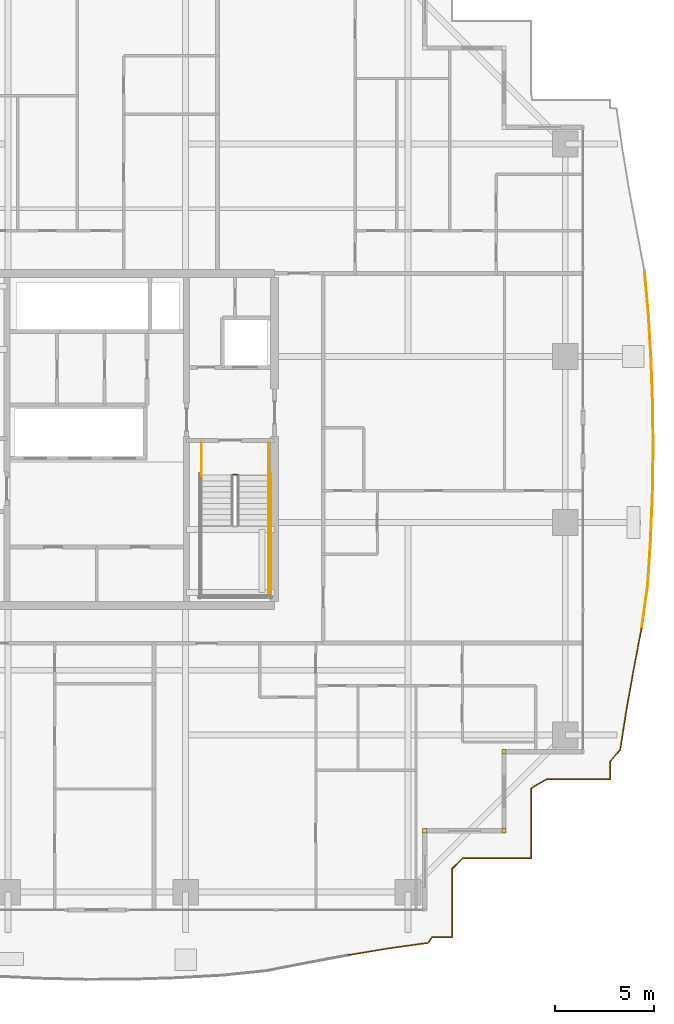
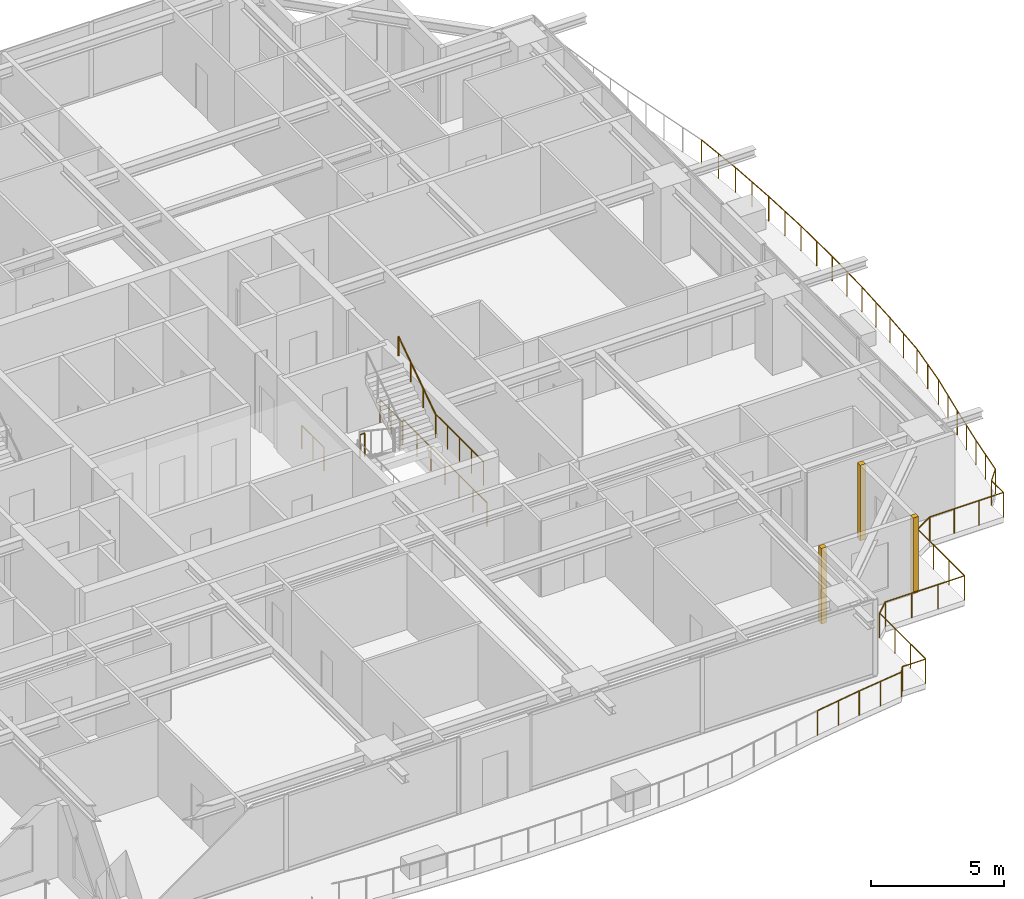
# One storey, part 37 of 38: 9 railings, 3 coverings.
"""IFC4 building model written with IfcOpenShell, lengths in metres."""

from ifc_helpers import new_model, si_unit, direction, frame, origin, origin_2d, place, context, subcontext, project, spatial, rectangle, circle, extrude, source, transform, mapped, material, layer, layer_set, type_object, element, save


model = new_model("IFC4")

# Units and contexts
model_context = context("Model", 3, precision=1e-05, world=origin(), true_north=direction((0.0, 1.0)))
body_context = subcontext(model_context, "Body", "Model", "MODEL_VIEW")
ifc_project = project(units=[si_unit("LENGTHUNIT", "METRE"), si_unit("AREAUNIT", "SQUARE_METRE"), si_unit("VOLUMEUNIT", "CUBIC_METRE"), si_unit("PLANEANGLEUNIT", "RADIAN"), si_unit("MASSUNIT", "GRAM", prefix="KILO")], contexts=[model_context])

# Site, building, storey
site_placement = place(None, origin())
site = spatial("IfcSite", under=ifc_project, at=site_placement, CompositionType="ELEMENT")
building_placement = place(site_placement, origin())
building = spatial("IfcBuilding", under=site, at=building_placement, Name="Serunith Strait Residences", CompositionType="ELEMENT")
storey_placement = place(building_placement, frame((0.0, 0.0, 176.39990234375)))
storey = spatial("IfcBuildingStorey", under=building, at=storey_placement, Name="L44", CompositionType="ELEMENT", Elevation=176.39990234375)

# Railings
ifc_material_1 = material(Name="Stainless Steel & Laminated Glass Balustrade", Category="steel")
railing_type_1 = type_object("IfcRailingType", Name="RLG-BALC-1150", PredefinedType="BALUSTRADE", material=ifc_material_1)
railing_1_placement = place(storey_placement, frame((60.108642578125, 33.760498046875, -0.0498046875)))
element("IfcRailing", 1, at=railing_1_placement, inside=storey, type_object=railing_type_1, Name="L44 Swirling Balcony Perimeter Balustrade 4", PredefinedType="BALUSTRADE", context=body_context, shape_type="SweptSolid", body=[
    extrude(circle(Radius=0.02392578125, at=origin_2d()), frame((0.000244140625, -0.001953125, 1.1259765625), z_axis=(0.089787224998, -0.995960970233, 0.0), x_axis=(0.995960970233, 0.089787224998, 0.0)), (0.0, 0.0, 1.0), 2.231201171875),
    extrude(circle(Radius=0.02392578125, at=origin_2d()), frame((0.20068359375, -2.22802734375, 1.1259765625), z_axis=(0.058659043198, -0.998278075814, 0.0), x_axis=(0.998278075814, 0.058659043198, 0.0)), (0.0, 0.0, 1.0), 2.2685546875),
    extrude(circle(Radius=0.02392578125, at=origin_2d()), frame((0.333984375, -4.49658203125, 1.1259765625), z_axis=(0.03584708947, -0.999357286548, 0.0), x_axis=(0.999357286548, 0.03584708947, 0.0)), (0.0, 0.0, 1.0), 2.291259765625),
    extrude(circle(Radius=0.02392578125, at=origin_2d()), frame((0.416259765625, -6.790283203125, 1.1259765625), z_axis=(0.010056658469, -0.999949430532, 0.0), x_axis=(0.999949430532, 0.010056658469, 0.0)), (0.0, 0.0, 1.0), 2.30224609375),
    extrude(circle(Radius=0.02392578125, at=origin_2d()), frame((0.439453125, -9.096435546875, 1.1259765625), z_axis=(-0.016424236174, -0.999865113136, 0.0), x_axis=(0.999865113136, -0.016424236174, 0.0)), (0.0, 0.0, 1.0), 2.300048828125),
    extrude(circle(Radius=0.02392578125, at=origin_2d()), frame((0.401611328125, -11.400146484375, 1.1259765625), z_axis=(-0.041701523722, -0.999130113108, 0.0), x_axis=(0.999130113108, -0.041701523722, 0.0)), (0.0, 0.0, 1.0), 2.28515625),
    extrude(circle(Radius=0.02392578125, at=origin_2d()), frame((0.305908203125, -13.687255859375, 1.1259765625), z_axis=(-0.063654430293, -0.997972000361, 0.0), x_axis=(0.997972000361, -0.063654430293, 0.0)), (0.0, 0.0, 1.0), 2.2587890625),
    extrude(circle(Radius=0.02392578125, at=origin_2d()), frame((0.161865234375, -15.945556640625, 1.1259765625), z_axis=(-0.140644272492, -0.99006019444, 0.0), x_axis=(0.99006019444, -0.140644272492, 0.0)), (0.0, 0.0, 1.0), 2.1953125),
    extrude(circle(Radius=0.02099609375, at=origin_2d()), origin(), (0.0, 0.0, 1.0), 1.099853515625),
    extrude(circle(Radius=0.02099609375, at=origin_2d()), frame((0.100341796875, -1.113037109375, 0.0)), (0.0, 0.0, 1.0), 1.099853515625),
    extrude(circle(Radius=0.02099609375, at=origin_2d()), frame((0.20068359375, -2.22607421875, 0.0)), (0.0, 0.0, 1.0), 1.099853515625),
    extrude(circle(Radius=0.02099609375, at=origin_2d()), frame((0.267333984375, -3.3603515625, 0.0)), (0.0, 0.0, 1.0), 1.099853515625),
    extrude(circle(Radius=0.02099609375, at=origin_2d()), frame((0.333984375, -4.49462890625, 0.0)), (0.0, 0.0, 1.0), 1.099853515625),
    extrude(circle(Radius=0.02099609375, at=origin_2d()), frame((0.375, -5.6416015625, 0.0)), (0.0, 0.0, 1.0), 1.099853515625),
    extrude(circle(Radius=0.02099609375, at=origin_2d()), frame((0.416259765625, -6.788330078125, 0.0)), (0.0, 0.0, 1.0), 1.099853515625),
    extrude(circle(Radius=0.02099609375, at=origin_2d()), frame((0.427734375, -7.94140625, 0.0)), (0.0, 0.0, 1.0), 1.099853515625),
    extrude(circle(Radius=0.02099609375, at=origin_2d()), frame((0.439453125, -9.094482421875, 0.0)), (0.0, 0.0, 1.0), 1.099853515625),
    extrude(circle(Radius=0.02099609375, at=origin_2d()), frame((0.42041015625, -10.246337890625, 0.0)), (0.0, 0.0, 1.0), 1.099853515625),
    extrude(circle(Radius=0.02099609375, at=origin_2d()), frame((0.401611328125, -11.398193359375, 0.0)), (0.0, 0.0, 1.0), 1.099853515625),
    extrude(circle(Radius=0.02099609375, at=origin_2d()), frame((0.35400390625, -12.541748046875, 0.0)), (0.0, 0.0, 1.0), 1.099853515625),
    extrude(circle(Radius=0.02099609375, at=origin_2d()), frame((0.30615234375, -13.685302734375, 0.0)), (0.0, 0.0, 1.0), 1.099853515625),
    extrude(circle(Radius=0.02099609375, at=origin_2d()), frame((0.234130859375, -14.814453125, 0.0)), (0.0, 0.0, 1.0), 1.099853515625),
    extrude(circle(Radius=0.02099609375, at=origin_2d()), frame((0.162109375, -15.943603515625, 0.0)), (0.0, 0.0, 1.0), 1.099853515625),
    extrude(circle(Radius=0.02099609375, at=origin_2d()), frame((0.00732421875, -17.0322265625, 0.0)), (0.0, 0.0, 1.0), 1.099853515625),
    extrude(circle(Radius=0.02099609375, at=origin_2d()), frame((-0.147216796875, -18.12109375, 0.0)), (0.0, 0.0, 1.0), 1.099853515625),
])
railing_2_placement = place(storey_placement, frame((59.96142578125, 15.639404296875, -0.0498046875)))
element("IfcRailing", 2, at=railing_2_placement, inside=storey, type_object=railing_type_1, Name="L44 Swirling Balcony Perimeter Balustrade 5", PredefinedType="BALUSTRADE", context=body_context, shape_type="SweptSolid", body=[
    extrude(circle(Radius=0.02392578125, at=origin_2d()), frame((-0.00048828125, -0.001953125, 1.1259765625), z_axis=(-0.187497247734, -0.982265128207, 0.0), x_axis=(0.982265128207, -0.187497247734, 0.0)), (0.0, 0.0, 1.0), 2.122314453125),
    extrude(circle(Radius=0.02392578125, at=origin_2d()), frame((-0.39892578125, -2.090576171875, 1.1259765625), z_axis=(-0.17623095657, -0.984348845657, 0.0), x_axis=(0.984348845657, -0.17623095657, 0.0)), (0.0, 0.0, 1.0), 2.068359375),
    extrude(circle(Radius=0.02392578125, at=origin_2d()), frame((-0.76416015625, -4.130615234375, 1.1259765625), z_axis=(-0.154409819412, -0.988006886448, 0.0), x_axis=(0.988006886448, -0.154409819412, 0.0)), (0.0, 0.0, 1.0), 2.031005859375),
    extrude(circle(Radius=0.02392578125, at=origin_2d()), frame((-1.079345703125, -6.140625, 1.1259765625), z_axis=(-0.65058348306, -0.759434744774, 0.0), x_axis=(0.759434744774, -0.65058348306, 0.0)), (0.0, 0.0, 1.0), 0.769775390625),
    extrude(circle(Radius=0.02392578125, at=origin_2d()), frame((-1.58154296875, -6.728759765625, 1.1259765625), z_axis=(0.0, -1.0, 0.0), x_axis=(1.0, 0.0, 0.0)), (0.0, 0.0, 1.0), 0.888671875),
    extrude(circle(Radius=0.02392578125, at=origin_2d()), frame((-1.58349609375, -7.619384765625, 1.1259765625), z_axis=(-1.0, 0.0, 0.0), x_axis=(0.0, -1.0, 0.0)), (0.0, 0.0, 1.0), 3.2021484375),
    extrude(circle(Radius=0.02392578125, at=origin_2d()), frame((-4.789306640625, -7.620361328125, 1.1259765625), z_axis=(-0.859143557085, -0.511734646394, 0.0), x_axis=(0.511734646394, -0.859143557085, 0.0)), (0.0, 0.0, 1.0), 0.920166015625),
    extrude(circle(Radius=0.02392578125, at=origin_2d()), frame((-5.58154296875, -8.09423828125, 1.1259765625), z_axis=(0.0, -1.0, 0.0), x_axis=(1.0, 0.0, 0.0)), (0.0, 0.0, 1.0), 3.523193359375),
    extrude(circle(Radius=0.02099609375, at=origin_2d()), origin(), (0.0, 0.0, 1.0), 1.099853515625),
    extrude(circle(Radius=0.02099609375, at=origin_2d()), frame((-0.19921875, -1.04443359375, 0.0)), (0.0, 0.0, 1.0), 1.099853515625),
    extrude(circle(Radius=0.02099609375, at=origin_2d()), frame((-0.398681640625, -2.088623046875, 0.0)), (0.0, 0.0, 1.0), 1.099853515625),
    extrude(circle(Radius=0.02099609375, at=origin_2d()), frame((-0.581298828125, -3.108642578125, 0.0)), (0.0, 0.0, 1.0), 1.099853515625),
    extrude(circle(Radius=0.02099609375, at=origin_2d()), frame((-0.763916015625, -4.128662109375, 0.0)), (0.0, 0.0, 1.0), 1.099853515625),
    extrude(circle(Radius=0.02099609375, at=origin_2d()), frame((-0.9208984375, -5.1337890625, 0.0)), (0.0, 0.0, 1.0), 1.099853515625),
    extrude(circle(Radius=0.02099609375, at=origin_2d()), frame((-1.078125, -6.13916015625, 0.0)), (0.0, 0.0, 1.0), 1.099853515625),
    extrude(circle(Radius=0.02099609375, at=origin_2d()), frame((-1.58154296875, -6.726806640625, 0.0)), (0.0, 0.0, 1.0), 1.099853515625),
    extrude(circle(Radius=0.02099609375, at=origin_2d()), frame((-1.58154296875, -7.619384765625, 0.0)), (0.0, 0.0, 1.0), 1.099853515625),
    extrude(circle(Radius=0.02099609375, at=origin_2d()), frame((-2.650146484375, -7.619384765625, 0.0)), (0.0, 0.0, 1.0), 1.099853515625),
    extrude(circle(Radius=0.02099609375, at=origin_2d()), frame((-3.718994140625, -7.619384765625, 0.0)), (0.0, 0.0, 1.0), 1.099853515625),
    extrude(circle(Radius=0.02099609375, at=origin_2d()), frame((-4.78759765625, -7.619384765625, 0.0)), (0.0, 0.0, 1.0), 1.099853515625),
    extrude(circle(Radius=0.02099609375, at=origin_2d()), frame((-5.58154296875, -8.09228515625, 0.0)), (0.0, 0.0, 1.0), 1.099853515625),
    extrude(circle(Radius=0.02099609375, at=origin_2d()), frame((-5.58154296875, -9.26806640625, 0.0)), (0.0, 0.0, 1.0), 1.099853515625),
    extrude(circle(Radius=0.02099609375, at=origin_2d()), frame((-5.58154296875, -10.443603515625, 0.0)), (0.0, 0.0, 1.0), 1.099853515625),
    extrude(circle(Radius=0.02099609375, at=origin_2d()), frame((-5.58154296875, -11.619384765625, 0.0)), (0.0, 0.0, 1.0), 1.099853515625),
])
railing_3_placement = place(storey_placement, frame((54.3798828125, 4.02001953125, -0.0498046875)))
element("IfcRailing", 3, at=railing_3_placement, inside=storey, type_object=railing_type_1, Name="L44 Swirling Balcony Perimeter Balustrade 6", PredefinedType="BALUSTRADE", context=body_context, shape_type="SweptSolid", body=[
    extrude(circle(Radius=0.02392578125, at=origin_2d()), frame((-0.001953125, 0.0, 1.1259765625), z_axis=(-1.0, 0.0, 0.0), x_axis=(0.0, -1.0, 0.0)), (0.0, 0.0, 1.0), 3.441162109375),
    extrude(circle(Radius=0.02392578125, at=origin_2d()), frame((-3.446533203125, -0.00146484375, 1.1259765625), z_axis=(-0.720607621625, -0.693343100965, 0.0), x_axis=(0.693343100965, -0.720607621625, 0.0)), (0.0, 0.0, 1.0), 0.76611328125),
    extrude(circle(Radius=0.02392578125, at=origin_2d()), frame((-4.0, -0.535888671875, 1.1259765625), z_axis=(0.0, -1.0, 0.0), x_axis=(1.0, 0.0, 0.0)), (0.0, 0.0, 1.0), 3.462158203125),
    extrude(circle(Radius=0.02392578125, at=origin_2d()), frame((-4.001953125, -4.0, 1.1259765625), z_axis=(-1.0, 0.0, 0.0), x_axis=(0.0, -1.0, 0.0)), (0.0, 0.0, 1.0), 1.00439453125),
    extrude(circle(Radius=0.02392578125, at=origin_2d()), frame((-5.009521484375, -4.001708984375, 1.1259765625), z_axis=(-0.58201885993, -0.813175286569, 0.0), x_axis=(0.813175286569, -0.58201885993, 0.0)), (0.0, 0.0, 1.0), 0.350830078125),
    extrude(circle(Radius=0.02392578125, at=origin_2d()), frame((-5.216796875, -4.288818359375, 1.1259765625), z_axis=(-0.990474862317, -0.137693671307, 0.0), x_axis=(0.137693671307, -0.990474862317, 0.0)), (0.0, 0.0, 1.0), 2.013671875),
    extrude(circle(Radius=0.02392578125, at=origin_2d()), frame((-7.21533203125, -4.566650390625, 1.1259765625), z_axis=(-0.986377787618, -0.164495775304, 0.0), x_axis=(0.164495775304, -0.986377787618, 0.0)), (0.0, 0.0, 1.0), 2.041259765625),
    extrude(circle(Radius=0.02099609375, at=origin_2d()), origin(), (0.0, 0.0, 1.0), 1.099853515625),
    extrude(circle(Radius=0.02099609375, at=origin_2d()), frame((-1.1484375, 0.0, 0.0)), (0.0, 0.0, 1.0), 1.099853515625),
    extrude(circle(Radius=0.02099609375, at=origin_2d()), frame((-2.296630859375, 0.0, 0.0)), (0.0, 0.0, 1.0), 1.099853515625),
    extrude(circle(Radius=0.02099609375, at=origin_2d()), frame((-3.445068359375, 0.0, 0.0)), (0.0, 0.0, 1.0), 1.099853515625),
    extrude(circle(Radius=0.02099609375, at=origin_2d()), frame((-4.0, -0.533935546875, 0.0)), (0.0, 0.0, 1.0), 1.099853515625),
    extrude(circle(Radius=0.02099609375, at=origin_2d()), frame((-4.0, -1.689208984375, 0.0)), (0.0, 0.0, 1.0), 1.099853515625),
    extrude(circle(Radius=0.02099609375, at=origin_2d()), frame((-4.0, -2.8447265625, 0.0)), (0.0, 0.0, 1.0), 1.099853515625),
    extrude(circle(Radius=0.02099609375, at=origin_2d()), frame((-4.0, -4.0, 0.0)), (0.0, 0.0, 1.0), 1.099853515625),
    extrude(circle(Radius=0.02099609375, at=origin_2d()), frame((-5.00830078125, -4.0, 0.0)), (0.0, 0.0, 1.0), 1.099853515625),
    extrude(circle(Radius=0.02099609375, at=origin_2d()), frame((-5.21484375, -4.28857421875, 0.0)), (0.0, 0.0, 1.0), 1.099853515625),
    extrude(circle(Radius=0.02099609375, at=origin_2d()), frame((-6.214111328125, -4.427490234375, 0.0)), (0.0, 0.0, 1.0), 1.099853515625),
    extrude(circle(Radius=0.02099609375, at=origin_2d()), frame((-7.21337890625, -4.56640625, 0.0)), (0.0, 0.0, 1.0), 1.099853515625),
    extrude(circle(Radius=0.02099609375, at=origin_2d()), frame((-8.22216796875, -4.734619140625, 0.0)), (0.0, 0.0, 1.0), 1.099853515625),
    extrude(circle(Radius=0.02099609375, at=origin_2d()), frame((-9.230712890625, -4.90283203125, 0.0)), (0.0, 0.0, 1.0), 1.099853515625),
])
ifc_material_2 = material(Name="Brushed stainless steel 316L", Category="steel")
railing_type_2 = type_object("IfcRailingType", Name="RLG-STAIR-GUARD", PredefinedType="BALUSTRADE", material=ifc_material_2)
railing_4_placement = place(storey_placement, frame((41.10009765625, 20.85009765625, 1.875)))
element("IfcRailing", 4, at=railing_4_placement, inside=storey, type_object=railing_type_2, Name="L44 ST-2 stair guard 4", PredefinedType="BALUSTRADE", context=body_context, shape_type="SweptSolid", body=[
    extrude(circle(Radius=0.02392578125, at=origin_2d()), frame((0.0, -0.001953125, 1.076171875), z_axis=(0.0, -1.0, 0.0), x_axis=(1.0, 0.0, 0.0)), (0.0, 0.0, 1.0), 3.59619140625),
    extrude(circle(Radius=0.02099609375, at=origin_2d()), origin(), (0.0, 0.0, 1.0), 1.050048828125),
    extrude(circle(Radius=0.02099609375, at=origin_2d()), frame((0.0, -0.89990234375, 0.0)), (0.0, 0.0, 1.0), 1.050048828125),
    extrude(circle(Radius=0.02099609375, at=origin_2d()), frame((0.0, -1.800048828125, 0.0)), (0.0, 0.0, 1.0), 1.050048828125),
    extrude(circle(Radius=0.02099609375, at=origin_2d()), frame((0.0, -2.7001953125, 0.0)), (0.0, 0.0, 1.0), 1.050048828125),
    extrude(circle(Radius=0.02099609375, at=origin_2d()), frame((0.0, -3.60009765625, 0.0)), (0.0, 0.0, 1.0), 1.050048828125),
])
railing_5_placement = place(storey_placement, frame((39.300048828125, 23.419921875, 0.0)))
element("IfcRailing", 5, at=railing_5_placement, inside=storey, type_object=railing_type_2, Name="L44 ST-2 stair guard 7", PredefinedType="BALUSTRADE", context=body_context, shape_type="SweptSolid", body=[
    extrude(circle(Radius=0.02392578125, at=origin_2d()), frame((0.001953125, 0.0, 1.076171875), z_axis=(1.0, 0.0, 0.0), x_axis=(0.0, 1.0, 0.0)), (0.0, 0.0, 1.0), 0.196044921875),
    extrude(circle(Radius=0.02099609375, at=origin_2d()), origin(), (0.0, 0.0, 1.0), 1.050048828125),
    extrude(circle(Radius=0.02099609375, at=origin_2d()), frame((0.199951171875, 0.0, 0.0)), (0.0, 0.0, 1.0), 1.050048828125),
])
for number, where, name in (
    (6, (37.699951171875, 25.050048828125, 0.0), "L44 ST-2 stair guard 8"),
    (7, (41.10009765625, 25.050048828125, 0.0), "L44 ST-2 stair guard 9"),
):
    element("IfcRailing", number, at=place(storey_placement, frame(where)), inside=storey, type_object=railing_type_2, Name=name, PredefinedType="BALUSTRADE", context=body_context, shape_type="SweptSolid", body=[
        extrude(circle(Radius=0.02392578125, at=origin_2d()), frame((0.0, -0.001953125, 1.076171875), z_axis=(0.0, -1.0, 0.0), x_axis=(1.0, 0.0, 0.0)), (0.0, 0.0, 1.0), 1.676025390625),
        extrude(circle(Radius=0.02099609375, at=origin_2d()), origin(), (0.0, 0.0, 1.0), 1.050048828125),
        extrude(circle(Radius=0.02099609375, at=origin_2d()), frame((0.0, -0.83984375, 0.0)), (0.0, 0.0, 1.0), 1.050048828125),
        extrude(circle(Radius=0.02099609375, at=origin_2d()), frame((0.0, -1.679931640625, 0.0)), (0.0, 0.0, 1.0), 1.050048828125),
    ])
railing_6_placement = place(storey_placement, frame((41.199951171875, 23.469970703125, 0.0)))
element("IfcRailing", 8, at=railing_6_placement, inside=storey, type_object=railing_type_2, Name="L44 ST-2 stair guard 11", PredefinedType="BALUSTRADE", context=body_context, shape_type="SweptSolid", body=[
    extrude(circle(Radius=0.02392578125, at=origin_2d()), frame((0.0, -0.001953125, 1.076171875), z_axis=(0.0, -1.0, 0.0), x_axis=(1.0, 0.0, 0.0)), (0.0, 0.0, 1.0), 6.316162109375),
    extrude(circle(Radius=0.02099609375, at=origin_2d()), origin(), (0.0, 0.0, 1.0), 1.050048828125),
    extrude(circle(Radius=0.02099609375, at=origin_2d()), frame((0.0, -1.05322265625, 0.0)), (0.0, 0.0, 1.0), 1.050048828125),
    extrude(circle(Radius=0.02099609375, at=origin_2d()), frame((0.0, -2.106689453125, 0.0)), (0.0, 0.0, 1.0), 1.050048828125),
    extrude(circle(Radius=0.02099609375, at=origin_2d()), frame((0.0, -3.16015625, 0.0)), (0.0, 0.0, 1.0), 1.050048828125),
    extrude(circle(Radius=0.02099609375, at=origin_2d()), frame((0.0, -4.21337890625, 0.0)), (0.0, 0.0, 1.0), 1.050048828125),
    extrude(circle(Radius=0.02099609375, at=origin_2d()), frame((0.0, -5.2666015625, 0.0)), (0.0, 0.0, 1.0), 1.050048828125),
    extrude(circle(Radius=0.02099609375, at=origin_2d()), frame((0.0, -6.320068359375, 0.0)), (0.0, 0.0, 1.0), 1.050048828125),
])
railing_type_3 = type_object("IfcRailingType", Name="RLG-STAIR-HR", PredefinedType="HANDRAIL", material=ifc_material_2)
railing_7_placement = place(storey_placement, frame((41.10009765625, 20.85009765625, 2.0625)))
element("IfcRailing", 9, at=railing_7_placement, inside=storey, type_object=railing_type_3, Name="L44 ST-2 stair handrail 2", PredefinedType="HANDRAIL", context=body_context, shape_type="SweptSolid", body=[
    extrude(circle(Radius=0.02392578125, at=origin_2d()), frame((0.0, 0.001708984375, 0.876953125), z_axis=(0.0, 0.830185712471, 0.557486935101), x_axis=(-1.0, 0.0, 0.0)), (0.0, 0.0, 1.0), 3.368408203125),
    extrude(circle(Radius=0.02099609375, at=origin_2d()), origin(), (0.0, 0.0, 1.0), 0.849853515625),
    extrude(circle(Radius=0.02099609375, at=origin_2d()), frame((0.0, 0.933349609375, 0.626708984375)), (0.0, 0.0, 1.0), 0.849853515625),
    extrude(circle(Radius=0.02099609375, at=origin_2d()), frame((0.0, 1.866455078125, 1.25341796875)), (0.0, 0.0, 1.0), 0.849853515625),
    extrude(circle(Radius=0.02099609375, at=origin_2d()), frame((0.0, 2.7998046875, 1.880126953125)), (0.0, 0.0, 1.0), 0.849853515625),
])

# Coverings
ifc_material_3 = material(Name="Pale-Champagne Anodised Aluminium", Category="aluminium")
ifc_layer = layer(ifc_material_3, 0.219970703125, Name="Pale-Champagne Anodised Aluminium")
ifc_layer_set = layer_set([ifc_layer], Name="Pale-Champagne Anodised Aluminium")
covering_type = type_object("IfcCoveringType", Name="COV-CORN-TRIM", PredefinedType="CLADDING", material=ifc_layer_set)
shared_shape = source(origin(), body_context, "Body", "SweptSolid", [
    extrude(rectangle(XDim=0.221923828125, YDim=0.221923828125, at=origin_2d()), origin(), (0.0, 0.0, 1.0), 3.47509765625),
])
for number, where, z_axis, x_axis, name in (
    (10, (49.0, 5.39990234375, 0.0), (0.0, 0.0, 1.0), (1.0, 0.0, 0.0), "L44 Girih Serrated Corner Trim Post 02"),
    (11, (53.0, 5.39990234375, 0.0), (0.0, 0.0, 1.0), (1.0, 0.0, 0.0), "L44 Girih Serrated Corner Trim Post 03"),
    (12, (53.0, 9.39990234375, 0.0), (0.0, 0.0, 1.0), (1.0, 0.0, 0.0), "L44 Girih Serrated Corner Trim Post 04"),
):
    element("IfcCovering", number, at=place(storey_placement, frame(where, z_axis=z_axis, x_axis=x_axis)), inside=storey, type_object=covering_type, Name=name, PredefinedType="CLADDING", context=body_context, shape_type="MappedRepresentation", body=[
        mapped(shared_shape, transform((0.0, 0.0, 0.0), scale=1.0)),
    ])

save(model, "model.ifc")
